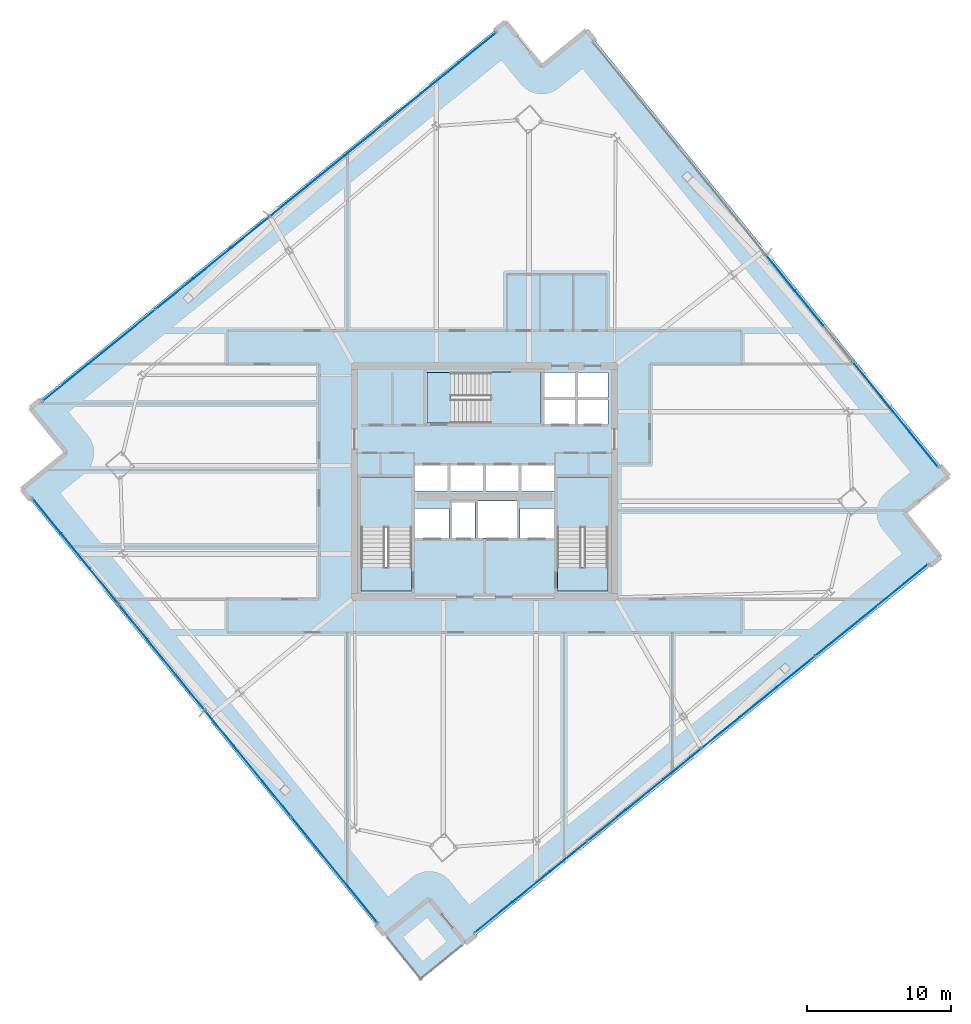
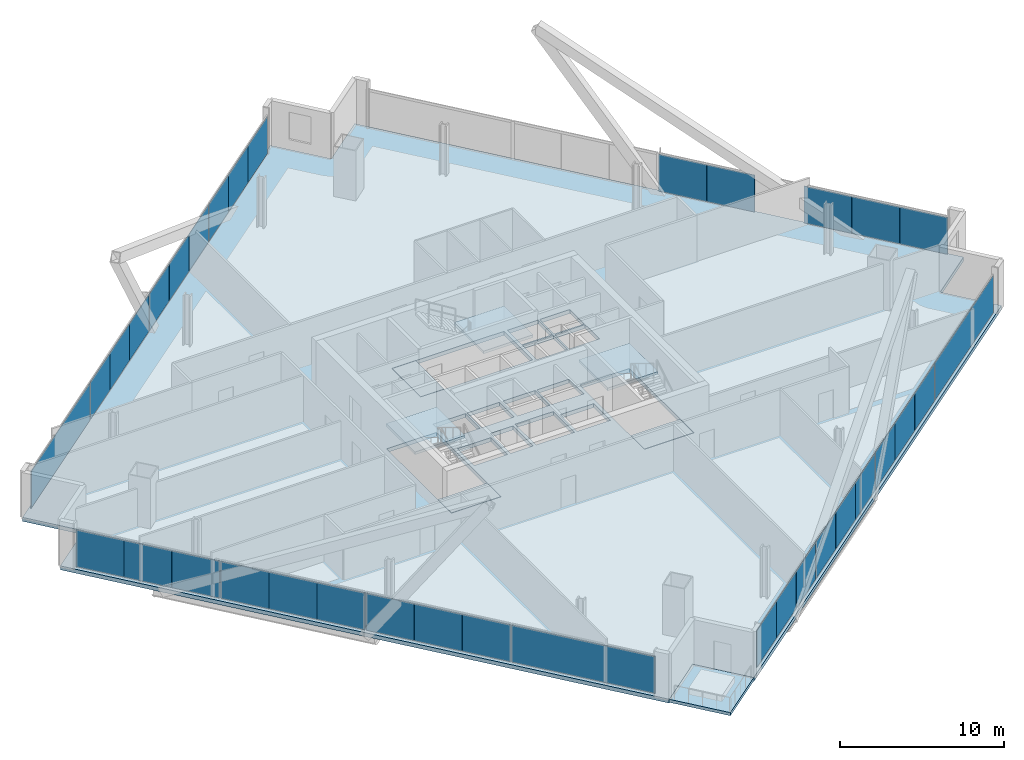
# One storey, part 27 of 36: 35 plates, 8 slabs, 7 elements without a shape of their own.
"""IFC4 building model written with IfcOpenShell, lengths in metres."""

from ifc_helpers import new_model, si_unit, direction, frame, origin, origin_2d, place, context, subcontext, project, spatial, polyline, rectangle, outline, extrude, source, transform, mapped, material, layer, layer_set, type_object, element, aggregate, save


model = new_model("IFC4")

# Units and contexts
model_context = context("Model", 3, precision=1e-05, world=origin(), true_north=direction((0.0, 1.0)))
body_context = subcontext(model_context, "Body", "Model", "MODEL_VIEW")
ifc_project = project(units=[si_unit("LENGTHUNIT", "METRE"), si_unit("AREAUNIT", "SQUARE_METRE"), si_unit("VOLUMEUNIT", "CUBIC_METRE"), si_unit("PLANEANGLEUNIT", "RADIAN"), si_unit("MASSUNIT", "GRAM", prefix="KILO")], contexts=[model_context])

# Site, building, storey
site_placement = place(None, origin())
site = spatial("IfcSite", under=ifc_project, at=site_placement, CompositionType="ELEMENT")
building_placement = place(site_placement, origin())
building = spatial("IfcBuilding", under=site, at=building_placement, Name="Haldenkirk Collegiate Tower", CompositionType="ELEMENT")
storey_placement = place(building_placement, frame((0.0, 0.0, 159.449951171875)))
storey = spatial("IfcBuildingStorey", under=building, at=storey_placement, Name="L39", CompositionType="ELEMENT", Elevation=159.449951171875)

# Slab
ifc_material_1 = material(Name="Concrete f'c 40 MPa", Category="concrete")
ifc_layer_1 = layer(ifc_material_1, 0.2900390625)
ifc_layer_set_1 = layer_set([ifc_layer_1], Name="Concrete f'c 40 MPa")
slab_type_1 = type_object("IfcSlabType", Name="SLB-FLR-290", PredefinedType="FLOOR", material=ifc_layer_set_1)
slab_1_placement = place(storey_placement, frame((0.0, 0.0, -0.2900390625)))
element("IfcSlab", 1, at=slab_1_placement, inside=storey, type_object=slab_type_1, Name="L39 composite structural floor slab", PredefinedType="FLOOR", context=body_context, shape_type="SweptSolid", body=[
    extrude(outline(polyline([(34.68408203125, -5.995361328125), (67.58837890625, 20.7451171875), (65.065673828125, 23.849365234375), (68.169921875, 26.3720703125), (43.069091796875, 57.2587890625), (39.96484375, 54.736083984375), (37.442138671875, 57.840087890625), (4.53759765625, 31.099609375), (7.060302734375, 27.995361328125), (3.956298828125, 25.47265625), (29.05712890625, -5.4140625), (32.161376953125, -2.891357421875), (34.68408203125, -5.995361328125)]), holes=[polyline([(27.449951171875, 18.39990234375), (30.949951171875, 18.39990234375), (30.949951171875, 26.300048828125), (27.449951171875, 26.300048828125), (27.449951171875, 18.39990234375)]), polyline([(41.050048828125, 18.39990234375), (44.550048828125, 18.39990234375), (44.550048828125, 26.300048828125), (41.050048828125, 26.300048828125), (41.050048828125, 18.39990234375)]), polyline([(32.0, 30.050048828125), (39.89990234375, 30.050048828125), (39.89990234375, 33.550048828125), (32.0, 33.550048828125), (32.0, 30.050048828125)]), polyline([(33.75, 22.10009765625), (35.35009765625, 22.10009765625), (35.35009765625, 24.550048828125), (33.75, 24.550048828125), (33.75, 22.10009765625)]), polyline([(40.14990234375, 29.949951171875), (42.320068359375, 29.949951171875), (42.320068359375, 31.699951171875), (40.14990234375, 31.699951171875), (40.14990234375, 29.949951171875)]), polyline([(42.419921875, 29.949951171875), (44.550048828125, 29.949951171875), (44.550048828125, 31.699951171875), (42.419921875, 31.699951171875), (42.419921875, 29.949951171875)]), polyline([(40.14990234375, 31.800048828125), (42.320068359375, 31.800048828125), (42.320068359375, 33.550048828125), (40.14990234375, 33.550048828125), (40.14990234375, 31.800048828125)]), polyline([(42.419921875, 31.800048828125), (44.550048828125, 31.800048828125), (44.550048828125, 33.550048828125), (42.419921875, 33.550048828125), (42.419921875, 31.800048828125)]), polyline([(31.199951171875, 25.35009765625), (33.47998046875, 25.35009765625), (33.47998046875, 27.14990234375), (31.199951171875, 27.14990234375), (31.199951171875, 25.35009765625)]), polyline([(33.60009765625, 25.35009765625), (35.8798828125, 25.35009765625), (35.8798828125, 27.14990234375), (33.60009765625, 27.14990234375), (33.60009765625, 25.35009765625)]), polyline([(36.1201171875, 25.35009765625), (38.39990234375, 25.35009765625), (38.39990234375, 27.14990234375), (36.1201171875, 27.14990234375), (36.1201171875, 25.35009765625)]), polyline([(38.52001953125, 25.35009765625), (40.800048828125, 25.35009765625), (40.800048828125, 27.14990234375), (38.52001953125, 27.14990234375), (38.52001953125, 25.35009765625)]), polyline([(31.199951171875, 22.10009765625), (33.550048828125, 22.10009765625), (33.550048828125, 24.14990234375), (31.199951171875, 24.14990234375), (31.199951171875, 22.10009765625)]), polyline([(38.449951171875, 22.10009765625), (40.800048828125, 22.10009765625), (40.800048828125, 24.14990234375), (38.449951171875, 24.14990234375), (38.449951171875, 22.10009765625)]), polyline([(35.550048828125, 22.10009765625), (38.25, 22.10009765625), (38.25, 24.64990234375), (35.550048828125, 24.64990234375), (35.550048828125, 22.10009765625)])]), origin(), (0.0, 0.0, 1.0), 0.2900390625),
])

# Stair, slab
stair_type = type_object("IfcStairType", Name="STR-DOGLEG-1650", PredefinedType="HALF_TURN_STAIR", material=ifc_material_1)
stair_1_placement = place(storey_placement, origin())
stair_1 = element("IfcStair", 2, at=stair_1_placement, inside=storey, type_object=stair_type, Name="L39 Core Exit Stair ST-1", PredefinedType="HALF_TURN_STAIR")
ifc_layer_2 = layer(ifc_material_1, 0.199951171875)
ifc_layer_set_2 = layer_set([ifc_layer_2], Name="Concrete f'c 40 MPa")
slab_type_2 = type_object("IfcSlabType", Name="SLB-LANDING-200", PredefinedType="LANDING", material=ifc_layer_set_2)
slab_2_placement = place(storey_placement, frame((0.0, 0.0, 1.675048828125)))
slab_2 = element("IfcSlab", 3, at=slab_2_placement, type_object=slab_type_2, Name="ST-1 landing 1", PredefinedType="LANDING", context=body_context, shape_type="SweptSolid", body=[
    extrude(outline(polyline([(30.97509765625, 22.824951171875), (27.425048828125, 22.824951171875), (27.425048828125, 26.324951171875), (30.97509765625, 26.324951171875), (30.97509765625, 22.824951171875)])), origin(), (0.0, 0.0, 1.0), 0.199951171875),
])
aggregate(stair_1, [slab_2])

stair_2_placement = place(storey_placement, origin())
stair_2 = element("IfcStair", 4, at=stair_2_placement, inside=storey, type_object=stair_type, Name="L39 Core Exit Stair ST-2", PredefinedType="HALF_TURN_STAIR")
slab_3_placement = place(storey_placement, frame((0.0, 0.0, 1.675048828125)))
slab_3 = element("IfcSlab", 5, at=slab_3_placement, type_object=slab_type_2, Name="ST-2 landing 1", PredefinedType="LANDING", context=body_context, shape_type="SweptSolid", body=[
    extrude(outline(polyline([(44.574951171875, 22.824951171875), (41.02490234375, 22.824951171875), (41.02490234375, 26.324951171875), (44.574951171875, 26.324951171875), (44.574951171875, 22.824951171875)])), origin(), (0.0, 0.0, 1.0), 0.199951171875),
])
aggregate(stair_2, [slab_3])

stair_3_placement = place(storey_placement, origin())
stair_3 = element("IfcStair", 6, at=stair_3_placement, inside=storey, type_object=stair_type, Name="L39 Core Exit Stair ST-3", PredefinedType="HALF_TURN_STAIR")
slab_4_placement = place(storey_placement, frame((0.0, 0.0, 1.675048828125)))
slab_4 = element("IfcSlab", 7, at=slab_4_placement, type_object=slab_type_2, Name="ST-3 landing 1", PredefinedType="LANDING", context=body_context, shape_type="SweptSolid", body=[
    extrude(outline(polyline([(36.425048828125, 30.02490234375), (36.425048828125, 33.574951171875), (39.925048828125, 33.574951171875), (39.925048828125, 30.02490234375), (36.425048828125, 30.02490234375)])), origin(), (0.0, 0.0, 1.0), 0.199951171875),
])
aggregate(stair_3, [slab_4])

# Slabs
ifc_layer_3 = layer(ifc_material_1, 0.25)
ifc_layer_set_3 = layer_set([ifc_layer_3], Name="Concrete f'c 40 MPa")
slab_type_3 = type_object("IfcSlabType", Name="SLB-STAIRLAND-250", PredefinedType="LANDING", material=ifc_layer_set_3)
slab_5_placement = place(storey_placement, frame((0.0, 0.0, -0.25)))
element("IfcSlab", 8, at=slab_5_placement, inside=storey, type_object=slab_type_3, Name="L39 stair ST1 structural floor landing slab", PredefinedType="LANDING", context=body_context, shape_type="SweptSolid", body=[
    extrude(outline(polyline([(27.4599609375, 18.409912109375), (30.93994140625, 18.409912109375), (30.93994140625, 20.080078125), (27.4599609375, 20.080078125), (27.4599609375, 18.409912109375)])), origin(), (0.0, 0.0, 1.0), 0.25),
])
slab_6_placement = place(storey_placement, frame((0.0, 0.0, -0.25)))
element("IfcSlab", 9, at=slab_6_placement, inside=storey, type_object=slab_type_3, Name="L39 stair ST2 structural floor landing slab", PredefinedType="LANDING", context=body_context, shape_type="SweptSolid", body=[
    extrude(outline(polyline([(41.06005859375, 18.409912109375), (44.5400390625, 18.409912109375), (44.5400390625, 20.080078125), (41.06005859375, 20.080078125), (41.06005859375, 18.409912109375)])), origin(), (0.0, 0.0, 1.0), 0.25),
])
slab_7_placement = place(storey_placement, frame((0.0, 0.0, -0.25)))
element("IfcSlab", 10, at=slab_7_placement, inside=storey, type_object=slab_type_3, Name="L39 stair ST3 structural floor landing slab", PredefinedType="LANDING", context=body_context, shape_type="SweptSolid", body=[
    extrude(outline(polyline([(32.010009765625, 30.06005859375), (33.679931640625, 30.06005859375), (33.679931640625, 33.5400390625), (32.010009765625, 33.5400390625), (32.010009765625, 30.06005859375)])), origin(), (0.0, 0.0, 1.0), 0.25),
])
ifc_layer_4 = layer(ifc_material_1, 0.22998046875)
ifc_layer_set_4 = layer_set([ifc_layer_4], Name="Concrete f'c 40 MPa")
slab_type_4 = type_object("IfcSlabType", Name="SLB-TERR-SPIRAL-230", PredefinedType="FLOOR", material=ifc_layer_set_4)
slab_8_placement = place(storey_placement, frame((0.0, 0.0, -0.22998046875)))
element("IfcSlab", 11, at=slab_8_placement, inside=storey, type_object=slab_type_4, Name="L39 spiralling corner terrace slab", PredefinedType="FLOOR", context=body_context, shape_type="SweptSolid", body=[
    extrude(outline(polyline([(31.579833984375, -8.51806640625), (34.68408203125, -5.995361328125), (32.161376953125, -2.891357421875), (29.05712890625, -5.4140625), (31.579833984375, -8.51806640625)])), origin(), (0.0, 0.0, 1.0), 0.22998046875),
])

# Curtain wall, plates
ifc_material_2 = material(Name="Anodised architectural bronze aluminium", Category="aluminium")
curtain_wall_type_1 = type_object("IfcCurtainWallType", Name="CW-SYS2-CONCAVE", PredefinedType="USERDEFINED", material=ifc_material_2)
curtain_wall_1_placement = place(storey_placement, origin())
curtain_wall_1 = element("IfcCurtainWall", 12, at=curtain_wall_1_placement, inside=storey, type_object=curtain_wall_type_1, Name="L39 South concave recessed bronze-anodised curtain wall", ObjectType="UNITISED CURTAIN WALL", PredefinedType="USERDEFINED")
ifc_material_3 = material(Name="Low-E argon triple insulating glass", Category="glass")
ifc_layer_5 = layer(ifc_material_3, 0.0419921875)
ifc_layer_set_5 = layer_set([ifc_layer_5], Name="Low-E argon triple insulating glass")
plate_type_1 = type_object("IfcPlateType", Name="CW-PNL-02", PredefinedType="CURTAIN_PANEL", material=ifc_layer_set_5)
shared_shape_1 = source(origin(), body_context, "Body", "SweptSolid", [
    extrude(rectangle(XDim=10.03759765625, YDim=0.0419921875, at=origin_2d()), origin(), (0.0, 0.0, 1.0), 2.760986328125),
])
plate_1_placement = place(storey_placement, frame((62.823486328125, 17.104736328125, 0.0751953125), z_axis=(0.0, 0.0, 1.0), x_axis=(-0.776047997717, -0.630673850131, 0.0)))
plate_1 = element("IfcPlate", 13, at=plate_1_placement, type_object=plate_type_1, Name="CW-02 panel 1.1", PredefinedType="CURTAIN_PANEL", context=body_context, shape_type="MappedRepresentation", body=[
    mapped(shared_shape_1, transform((0.0, 0.0, 0.0), x_axis=(1.0, 0.0, 0.0), y_axis=(0.0, 1.0, 0.0), z_axis=(0.0, 0.0, 1.0), scale=1.0)),
])
shared_shape_2 = source(origin(), body_context, "Body", "SweptSolid", [
    extrude(rectangle(XDim=3.345703125, YDim=0.0419921875, at=origin_2d()), origin(), (0.0, 0.0, 1.0), 2.760986328125),
])
plate_2_placement = place(storey_placement, frame((57.572265625, 12.837158203125, 0.0751953125), z_axis=(0.0, 0.0, 1.0), x_axis=(-0.776047997717, -0.630673850131, 0.0)))
plate_2 = element("IfcPlate", 14, at=plate_2_placement, type_object=plate_type_1, Name="CW-02 panel 2.1a", PredefinedType="CURTAIN_PANEL", context=body_context, shape_type="MappedRepresentation", body=[
    mapped(shared_shape_2, transform((0.0, 0.0, 0.0), x_axis=(1.0, 0.0, 0.0), y_axis=(0.0, 1.0, 0.0), z_axis=(0.0, 0.0, 1.0), scale=1.0)),
])
ifc_material_4 = material(Name="Bronze-anodised insulated aluminium spandrel panel", Category="aluminium")
ifc_layer_6 = layer(ifc_material_4, 0.0419921875)
ifc_layer_set_6 = layer_set([ifc_layer_6], Name="Bronze-anodised insulated aluminium spandrel panel")
plate_type_2 = type_object("IfcPlateType", Name="CW-SPD-02", PredefinedType="CURTAIN_PANEL", material=ifc_layer_set_6)
plate_3_placement = place(storey_placement, frame((52.35009765625, 8.59326171875, 0.0751953125), z_axis=(0.0, 0.0, 1.0), x_axis=(-0.776047997717, -0.630673850131, 0.0)))
plate_3 = element("IfcPlate", 15, at=plate_3_placement, type_object=plate_type_2, Name="CW-02 spandrel panel 2.1c", PredefinedType="CURTAIN_PANEL", context=body_context, shape_type="MappedRepresentation", body=[
    mapped(shared_shape_2, transform((0.0, 0.0, 0.0), x_axis=(1.0, 0.0, 0.0), y_axis=(0.0, 1.0, 0.0), z_axis=(0.0, 0.0, 1.0), scale=1.0)),
])
plate_4_placement = place(storey_placement, frame((49.6953125, 6.435791015625, 0.0751953125), z_axis=(0.0, 0.0, 1.0), x_axis=(-0.776047997717, -0.630673850131, 0.0)))
plate_4 = element("IfcPlate", 16, at=plate_4_placement, type_object=plate_type_2, Name="CW-02 spandrel panel 3.1a", PredefinedType="CURTAIN_PANEL", context=body_context, shape_type="MappedRepresentation", body=[
    mapped(shared_shape_2, transform((0.0, 0.0, 0.0), x_axis=(1.0, 0.0, 0.0), y_axis=(0.0, 1.0, 0.0), z_axis=(0.0, 0.0, 1.0), scale=1.0)),
])
plate_5_placement = place(storey_placement, frame((44.47314453125, 2.19189453125, 0.0751953125), z_axis=(0.0, 0.0, 1.0), x_axis=(-0.776047997717, -0.630673850131, 0.0)))
plate_5 = element("IfcPlate", 17, at=plate_5_placement, type_object=plate_type_2, Name="CW-02 spandrel panel 3.1c", PredefinedType="CURTAIN_PANEL", context=body_context, shape_type="MappedRepresentation", body=[
    mapped(shared_shape_2, transform((0.0, 0.0, 0.0), x_axis=(1.0, 0.0, 0.0), y_axis=(0.0, 1.0, 0.0), z_axis=(0.0, 0.0, 1.0), scale=1.0)),
])
shared_shape_3 = source(origin(), body_context, "Body", "SweptSolid", [
    extrude(rectangle(XDim=3.333251953125, YDim=0.0419921875, at=origin_2d()), origin(), (0.0, 0.0, 1.0), 2.760986328125),
])
plate_6_placement = place(storey_placement, frame((54.961181640625, 10.71533203125, 0.0751953125), z_axis=(0.0, 0.0, 1.0), x_axis=(-0.776047997717, -0.630673850131, 0.0)))
plate_6 = element("IfcPlate", 18, at=plate_6_placement, type_object=plate_type_1, Name="CW-02 panel 2.1b", PredefinedType="CURTAIN_PANEL", context=body_context, shape_type="MappedRepresentation", body=[
    mapped(shared_shape_3, transform((0.0, 0.0, 0.0), x_axis=(1.0, 0.0, 0.0), y_axis=(0.0, 1.0, 0.0), z_axis=(0.0, 0.0, 1.0), scale=1.0)),
])
plate_7_placement = place(storey_placement, frame((47.084228515625, 4.31396484375, 0.0751953125), z_axis=(0.0, 0.0, 1.0), x_axis=(-0.776047997717, -0.630673850131, 0.0)))
plate_7 = element("IfcPlate", 19, at=plate_7_placement, type_object=plate_type_1, Name="CW-02 panel 3.1b", PredefinedType="CURTAIN_PANEL", context=body_context, shape_type="MappedRepresentation", body=[
    mapped(shared_shape_3, transform((0.0, 0.0, 0.0), x_axis=(1.0, 0.0, 0.0), y_axis=(0.0, 1.0, 0.0), z_axis=(0.0, 0.0, 1.0), scale=1.0)),
])
plate_8_placement = place(storey_placement, frame((41.8232421875, 0.03857421875, 0.0751953125), z_axis=(0.0, 0.0, 1.0), x_axis=(-0.776047997717, -0.630673850131, 0.0)))
plate_8 = element("IfcPlate", 20, at=plate_8_placement, type_object=plate_type_2, Name="CW-02 spandrel panel 4.1a", PredefinedType="CURTAIN_PANEL", context=body_context, shape_type="MappedRepresentation", body=[
    mapped(shared_shape_3, transform((0.0, 0.0, 0.0), x_axis=(1.0, 0.0, 0.0), y_axis=(0.0, 1.0, 0.0), z_axis=(0.0, 0.0, 1.0), scale=1.0)),
])
plate_9_placement = place(storey_placement, frame((36.62060546875, -4.189697265625, 0.0751953125), z_axis=(0.0, 0.0, 1.0), x_axis=(-0.776047997717, -0.630673850131, 0.0)))
plate_9 = element("IfcPlate", 21, at=plate_9_placement, type_object=plate_type_1, Name="CW-02 panel 4.1c", PredefinedType="CURTAIN_PANEL", context=body_context, shape_type="MappedRepresentation", body=[
    mapped(shared_shape_3, transform((0.0, 0.0, 0.0), x_axis=(1.0, 0.0, 0.0), y_axis=(0.0, 1.0, 0.0), z_axis=(0.0, 0.0, 1.0), scale=1.0)),
])

# Curtain wall, plate
curtain_wall_type_2 = type_object("IfcCurtainWallType", Name="CW-SYS1-CONVEX-LOW", PredefinedType="USERDEFINED", material=ifc_material_2)
curtain_wall_2_placement = place(storey_placement, origin())
curtain_wall_2 = element("IfcCurtainWall", 22, at=curtain_wall_2_placement, inside=storey, type_object=curtain_wall_type_2, Name="L39 Lower tower convex bronze-framed unitised curtain wall", ObjectType="UNITISED CURTAIN WALL", PredefinedType="USERDEFINED")
ifc_layer_7 = layer(ifc_material_4, 0.0439453125)
ifc_layer_set_7 = layer_set([ifc_layer_7], Name="Bronze-anodised insulated aluminium spandrel panel")
plate_type_3 = type_object("IfcPlateType", Name="CW-SPD-1A", PredefinedType="CURTAIN_PANEL", material=ifc_layer_set_7)
shared_shape_4 = source(origin(), body_context, "Body", "SweptSolid", [
    extrude(rectangle(XDim=3.12744140625, YDim=0.0439453125, at=origin_2d()), origin(), (0.0, 0.0, 1.0), 2.7509765625),
])
plate_10_placement = place(storey_placement, frame((56.4912109375, 40.457275390625, 0.080078125), z_axis=(0.0, 0.0, 1.0), x_axis=(0.630675643068, -0.776046540641, 0.0)))
plate_10 = element("IfcPlate", 23, at=plate_10_placement, type_object=plate_type_3, Name="CW-1A spandrel panel 3.1a", PredefinedType="CURTAIN_PANEL", context=body_context, shape_type="MappedRepresentation", body=[
    mapped(shared_shape_4, transform((0.0, 0.0, 0.0), x_axis=(1.0, 0.0, 0.0), y_axis=(0.0, 1.0, 0.0), z_axis=(0.0, 0.0, 1.0), scale=1.0)),
])

# Curtain wall, plates
curtain_wall_3_placement = place(storey_placement, origin())
curtain_wall_3 = element("IfcCurtainWall", 24, at=curtain_wall_3_placement, inside=storey, type_object=curtain_wall_type_2, Name="L39 Lower tower convex bronze-framed unitised curtain wall", ObjectType="UNITISED CURTAIN WALL", PredefinedType="USERDEFINED")
ifc_layer_8 = layer(ifc_material_3, 0.0439453125)
ifc_layer_set_8 = layer_set([ifc_layer_8], Name="Low-E argon triple insulating glass")
plate_type_4 = type_object("IfcPlateType", Name="CW-PNL-1A", PredefinedType="CURTAIN_PANEL", material=ifc_layer_set_8)
plate_11_placement = place(storey_placement, frame((21.626220703125, 4.014892578125, 0.080078125), z_axis=(0.0, 0.0, 1.0), x_axis=(-0.630674355087, 0.776047587352, 0.0)))
plate_11 = element("IfcPlate", 25, at=plate_11_placement, type_object=plate_type_4, Name="CW-1A panel 2.1a", PredefinedType="CURTAIN_PANEL", context=body_context, shape_type="MappedRepresentation", body=[
    mapped(shared_shape_4, transform((0.0, 0.0, 0.0), x_axis=(1.0, 0.0, 0.0), y_axis=(0.0, 1.0, 0.0), z_axis=(0.0, 0.0, 1.0), scale=1.0)),
])
plate_12_placement = place(storey_placement, frame((17.65771484375, 8.898193359375, 0.080078125), z_axis=(0.0, 0.0, 1.0), x_axis=(-0.630674355087, 0.776047587352, 0.0)))
plate_12 = element("IfcPlate", 26, at=plate_12_placement, type_object=plate_type_3, Name="CW-1A spandrel panel 2.1c", PredefinedType="CURTAIN_PANEL", context=body_context, shape_type="MappedRepresentation", body=[
    mapped(shared_shape_4, transform((0.0, 0.0, 0.0), x_axis=(1.0, 0.0, 0.0), y_axis=(0.0, 1.0, 0.0), z_axis=(0.0, 0.0, 1.0), scale=1.0)),
])
plate_13_placement = place(storey_placement, frame((15.635009765625, 11.387451171875, 0.080078125), z_axis=(0.0, 0.0, 1.0), x_axis=(-0.630674355087, 0.776047587352, 0.0)))
plate_13 = element("IfcPlate", 27, at=plate_13_placement, type_object=plate_type_3, Name="CW-1A spandrel panel 3.1a", PredefinedType="CURTAIN_PANEL", context=body_context, shape_type="MappedRepresentation", body=[
    mapped(shared_shape_4, transform((0.0, 0.0, 0.0), x_axis=(1.0, 0.0, 0.0), y_axis=(0.0, 1.0, 0.0), z_axis=(0.0, 0.0, 1.0), scale=1.0)),
])
plate_14_placement = place(storey_placement, frame((11.66650390625, 16.270751953125, 0.080078125), z_axis=(0.0, 0.0, 1.0), x_axis=(-0.630674355087, 0.776047587352, 0.0)))
plate_14 = element("IfcPlate", 28, at=plate_14_placement, type_object=plate_type_3, Name="CW-1A spandrel panel 3.1c", PredefinedType="CURTAIN_PANEL", context=body_context, shape_type="MappedRepresentation", body=[
    mapped(shared_shape_4, transform((0.0, 0.0, 0.0), x_axis=(1.0, 0.0, 0.0), y_axis=(0.0, 1.0, 0.0), z_axis=(0.0, 0.0, 1.0), scale=1.0)),
])

# Plate
shared_shape_5 = source(origin(), body_context, "Body", "SweptSolid", [
    extrude(rectangle(XDim=3.114990234375, YDim=0.0439453125, at=origin_2d()), origin(), (0.0, 0.0, 1.0), 2.7509765625),
])
plate_15_placement = place(storey_placement, frame((58.4755859375, 38.015625, 0.080078125), z_axis=(0.0, 0.0, 1.0), x_axis=(0.630675643068, -0.776046540641, 0.0)))
plate_15 = element("IfcPlate", 29, at=plate_15_placement, type_object=plate_type_4, Name="CW-1A panel 3.1b", PredefinedType="CURTAIN_PANEL", context=body_context, shape_type="MappedRepresentation", body=[
    mapped(shared_shape_5, transform((0.0, 0.0, 0.0), x_axis=(1.0, 0.0, 0.0), y_axis=(0.0, 1.0, 0.0), z_axis=(0.0, 0.0, 1.0), scale=1.0)),
])

plate_16_placement = place(storey_placement, frame((19.64208984375, 6.45654296875, 0.080078125), z_axis=(0.0, 0.0, 1.0), x_axis=(-0.630674355087, 0.776047587352, 0.0)))
plate_16 = element("IfcPlate", 30, at=plate_16_placement, type_object=plate_type_4, Name="CW-1A panel 2.1b", PredefinedType="CURTAIN_PANEL", context=body_context, shape_type="MappedRepresentation", body=[
    mapped(shared_shape_5, transform((0.0, 0.0, 0.0), x_axis=(1.0, 0.0, 0.0), y_axis=(0.0, 1.0, 0.0), z_axis=(0.0, 0.0, 1.0), scale=1.0)),
])

plate_17_placement = place(storey_placement, frame((13.650634765625, 13.8291015625, 0.080078125), z_axis=(0.0, 0.0, 1.0), x_axis=(-0.630674355087, 0.776047587352, 0.0)))
plate_17 = element("IfcPlate", 31, at=plate_17_placement, type_object=plate_type_4, Name="CW-1A panel 3.1b", PredefinedType="CURTAIN_PANEL", context=body_context, shape_type="MappedRepresentation", body=[
    mapped(shared_shape_5, transform((0.0, 0.0, 0.0), x_axis=(1.0, 0.0, 0.0), y_axis=(0.0, 1.0, 0.0), z_axis=(0.0, 0.0, 1.0), scale=1.0)),
])

# Curtain wall, plates
curtain_wall_4_placement = place(storey_placement, origin())
curtain_wall_4 = element("IfcCurtainWall", 32, at=curtain_wall_4_placement, inside=storey, type_object=curtain_wall_type_2, Name="L39 Lower tower convex bronze-framed unitised curtain wall", ObjectType="UNITISED CURTAIN WALL", PredefinedType="USERDEFINED")
shared_shape_6 = source(origin(), body_context, "Body", "SweptSolid", [
    extrude(rectangle(XDim=10.030029296875, YDim=0.0439453125, at=origin_2d()), origin(), (0.0, 0.0, 1.0), 2.7509765625),
])
plate_18_placement = place(storey_placement, frame((9.303466796875, 34.74072265625, 0.080078125), z_axis=(0.0, 0.0, 1.0), x_axis=(0.776047997717, 0.630673850131, 0.0)))
plate_18 = element("IfcPlate", 33, at=plate_18_placement, type_object=plate_type_4, Name="CW-1A panel 1.1", PredefinedType="CURTAIN_PANEL", context=body_context, shape_type="MappedRepresentation", body=[
    mapped(shared_shape_6, transform((0.0, 0.0, 0.0), x_axis=(1.0, 0.0, 0.0), y_axis=(0.0, 1.0, 0.0), z_axis=(0.0, 0.0, 1.0), scale=1.0)),
])
shared_shape_7 = source(origin(), body_context, "Body", "SweptSolid", [
    extrude(rectangle(XDim=3.34423828125, YDim=0.0439453125, at=origin_2d()), origin(), (0.0, 0.0, 1.0), 2.7509765625),
])
plate_19_placement = place(storey_placement, frame((14.55517578125, 39.008544921875, 0.080078125), z_axis=(0.0, 0.0, 1.0), x_axis=(0.776047997717, 0.630673850131, 0.0)))
plate_19 = element("IfcPlate", 34, at=plate_19_placement, type_object=plate_type_4, Name="CW-1A panel 2.1a", PredefinedType="CURTAIN_PANEL", context=body_context, shape_type="MappedRepresentation", body=[
    mapped(shared_shape_7, transform((0.0, 0.0, 0.0), x_axis=(1.0, 0.0, 0.0), y_axis=(0.0, 1.0, 0.0), z_axis=(0.0, 0.0, 1.0), scale=1.0)),
])
plate_20_placement = place(storey_placement, frame((19.774658203125, 43.25048828125, 0.080078125), z_axis=(0.0, 0.0, 1.0), x_axis=(0.776047997717, 0.630673850131, 0.0)))
plate_20 = element("IfcPlate", 35, at=plate_20_placement, type_object=plate_type_3, Name="CW-1A spandrel panel 2.1c", PredefinedType="CURTAIN_PANEL", context=body_context, shape_type="MappedRepresentation", body=[
    mapped(shared_shape_7, transform((0.0, 0.0, 0.0), x_axis=(1.0, 0.0, 0.0), y_axis=(0.0, 1.0, 0.0), z_axis=(0.0, 0.0, 1.0), scale=1.0)),
])
plate_21_placement = place(storey_placement, frame((22.43212890625, 45.409912109375, 0.080078125), z_axis=(0.0, 0.0, 1.0), x_axis=(0.776047997717, 0.630673850131, 0.0)))
plate_21 = element("IfcPlate", 36, at=plate_21_placement, type_object=plate_type_3, Name="CW-1A spandrel panel 3.1a", PredefinedType="CURTAIN_PANEL", context=body_context, shape_type="MappedRepresentation", body=[
    mapped(shared_shape_7, transform((0.0, 0.0, 0.0), x_axis=(1.0, 0.0, 0.0), y_axis=(0.0, 1.0, 0.0), z_axis=(0.0, 0.0, 1.0), scale=1.0)),
])
plate_22_placement = place(storey_placement, frame((27.651611328125, 49.65185546875, 0.080078125), z_axis=(0.0, 0.0, 1.0), x_axis=(0.776047997717, 0.630673850131, 0.0)))
plate_22 = element("IfcPlate", 37, at=plate_22_placement, type_object=plate_type_3, Name="CW-1A spandrel panel 3.1c", PredefinedType="CURTAIN_PANEL", context=body_context, shape_type="MappedRepresentation", body=[
    mapped(shared_shape_7, transform((0.0, 0.0, 0.0), x_axis=(1.0, 0.0, 0.0), y_axis=(0.0, 1.0, 0.0), z_axis=(0.0, 0.0, 1.0), scale=1.0)),
])
shared_shape_8 = source(origin(), body_context, "Body", "SweptSolid", [
    extrude(rectangle(XDim=3.331787109375, YDim=0.0439453125, at=origin_2d()), origin(), (0.0, 0.0, 1.0), 2.7509765625),
])
plate_23_placement = place(storey_placement, frame((17.1650390625, 41.12939453125, 0.080078125), z_axis=(0.0, 0.0, 1.0), x_axis=(0.776047997717, 0.630673850131, 0.0)))
plate_23 = element("IfcPlate", 38, at=plate_23_placement, type_object=plate_type_4, Name="CW-1A panel 2.1b", PredefinedType="CURTAIN_PANEL", context=body_context, shape_type="MappedRepresentation", body=[
    mapped(shared_shape_8, transform((0.0, 0.0, 0.0), x_axis=(1.0, 0.0, 0.0), y_axis=(0.0, 1.0, 0.0), z_axis=(0.0, 0.0, 1.0), scale=1.0)),
])
plate_24_placement = place(storey_placement, frame((25.041748046875, 47.531005859375, 0.080078125), z_axis=(0.0, 0.0, 1.0), x_axis=(0.776047997717, 0.630673850131, 0.0)))
plate_24 = element("IfcPlate", 39, at=plate_24_placement, type_object=plate_type_4, Name="CW-1A panel 3.1b", PredefinedType="CURTAIN_PANEL", context=body_context, shape_type="MappedRepresentation", body=[
    mapped(shared_shape_8, transform((0.0, 0.0, 0.0), x_axis=(1.0, 0.0, 0.0), y_axis=(0.0, 1.0, 0.0), z_axis=(0.0, 0.0, 1.0), scale=1.0)),
])

# Plate
shared_shape_9 = source(origin(), body_context, "Body", "SweptSolid", [
    extrude(rectangle(XDim=9.380126953125, YDim=0.0439453125, at=origin_2d()), origin(), (0.0, 0.0, 1.0), 2.7509765625),
])
plate_25_placement = place(storey_placement, frame((25.620849609375, -0.900390625, 0.080078125), z_axis=(0.0, 0.0, 1.0), x_axis=(-0.630674355087, 0.776047587352, 0.0)))
plate_25 = element("IfcPlate", 40, at=plate_25_placement, type_object=plate_type_4, Name="CW-1A panel 1.1", PredefinedType="CURTAIN_PANEL", context=body_context, shape_type="MappedRepresentation", body=[
    mapped(shared_shape_9, transform((0.0, 0.0, 0.0), x_axis=(1.0, 0.0, 0.0), y_axis=(0.0, 1.0, 0.0), z_axis=(0.0, 0.0, 1.0), scale=1.0)),
])

shared_shape_10 = source(origin(), body_context, "Body", "SweptSolid", [
    extrude(rectangle(XDim=3.32080078125, YDim=0.0419921875, at=origin_2d()), origin(), (0.0, 0.0, 1.0), 2.760986328125),
])
plate_26_placement = place(storey_placement, frame((39.221923828125, -2.07568359375, 0.0751953125), z_axis=(0.0, 0.0, 1.0), x_axis=(-0.776047997717, -0.630673850131, 0.0)))
plate_26 = element("IfcPlate", 41, at=plate_26_placement, type_object=plate_type_2, Name="CW-02 spandrel panel 4.1b", PredefinedType="CURTAIN_PANEL", context=body_context, shape_type="MappedRepresentation", body=[
    mapped(shared_shape_10, transform((0.0, 0.0, 0.0), x_axis=(1.0, 0.0, 0.0), y_axis=(0.0, 1.0, 0.0), z_axis=(0.0, 0.0, 1.0), scale=1.0)),
])

aggregate(curtain_wall_1, [plate_1, plate_2, plate_6, plate_3, plate_4, plate_7, plate_5, plate_8, plate_26, plate_9])

shared_shape_11 = source(origin(), body_context, "Body", "SweptSolid", [
    extrude(rectangle(XDim=3.1142578125, YDim=0.0439453125, at=origin_2d()), origin(), (0.0, 0.0, 1.0), 2.7509765625),
])
plate_27_placement = place(storey_placement, frame((62.478515625, 33.090087890625, 0.080078125), z_axis=(0.0, 0.0, 1.0), x_axis=(0.630675643068, -0.776046540641, 0.0)))
plate_27 = element("IfcPlate", 42, at=plate_27_placement, type_object=plate_type_3, Name="CW-1A spandrel panel 4.1a", PredefinedType="CURTAIN_PANEL", context=body_context, shape_type="MappedRepresentation", body=[
    mapped(shared_shape_11, transform((0.0, 0.0, 0.0), x_axis=(1.0, 0.0, 0.0), y_axis=(0.0, 1.0, 0.0), z_axis=(0.0, 0.0, 1.0), scale=1.0)),
])

plate_28_placement = place(storey_placement, frame((66.43017578125, 28.2275390625, 0.080078125), z_axis=(0.0, 0.0, 1.0), x_axis=(0.630675643068, -0.776046540641, 0.0)))
plate_28 = element("IfcPlate", 43, at=plate_28_placement, type_object=plate_type_4, Name="CW-1A panel 4.1c", PredefinedType="CURTAIN_PANEL", context=body_context, shape_type="MappedRepresentation", body=[
    mapped(shared_shape_11, transform((0.0, 0.0, 0.0), x_axis=(1.0, 0.0, 0.0), y_axis=(0.0, 1.0, 0.0), z_axis=(0.0, 0.0, 1.0), scale=1.0)),
])

plate_29_placement = place(storey_placement, frame((9.647705078125, 18.754638671875, 0.080078125), z_axis=(0.0, 0.0, 1.0), x_axis=(-0.630674355087, 0.776047587352, 0.0)))
plate_29 = element("IfcPlate", 44, at=plate_29_placement, type_object=plate_type_3, Name="CW-1A spandrel panel 4.1a", PredefinedType="CURTAIN_PANEL", context=body_context, shape_type="MappedRepresentation", body=[
    mapped(shared_shape_11, transform((0.0, 0.0, 0.0), x_axis=(1.0, 0.0, 0.0), y_axis=(0.0, 1.0, 0.0), z_axis=(0.0, 0.0, 1.0), scale=1.0)),
])

plate_30_placement = place(storey_placement, frame((5.696044921875, 23.6171875, 0.080078125), z_axis=(0.0, 0.0, 1.0), x_axis=(-0.630674355087, 0.776047587352, 0.0)))
plate_30 = element("IfcPlate", 45, at=plate_30_placement, type_object=plate_type_4, Name="CW-1A panel 4.1c", PredefinedType="CURTAIN_PANEL", context=body_context, shape_type="MappedRepresentation", body=[
    mapped(shared_shape_11, transform((0.0, 0.0, 0.0), x_axis=(1.0, 0.0, 0.0), y_axis=(0.0, 1.0, 0.0), z_axis=(0.0, 0.0, 1.0), scale=1.0)),
])

shared_shape_12 = source(origin(), body_context, "Body", "SweptSolid", [
    extrude(rectangle(XDim=3.101806640625, YDim=0.0439453125, at=origin_2d()), origin(), (0.0, 0.0, 1.0), 2.7509765625),
])
plate_31_placement = place(storey_placement, frame((64.454345703125, 30.65869140625, 0.080078125), z_axis=(0.0, 0.0, 1.0), x_axis=(0.630675643068, -0.776046540641, 0.0)))
plate_31 = element("IfcPlate", 46, at=plate_31_placement, type_object=plate_type_3, Name="CW-1A spandrel panel 4.1b", PredefinedType="CURTAIN_PANEL", context=body_context, shape_type="MappedRepresentation", body=[
    mapped(shared_shape_12, transform((0.0, 0.0, 0.0), x_axis=(1.0, 0.0, 0.0), y_axis=(0.0, 1.0, 0.0), z_axis=(0.0, 0.0, 1.0), scale=1.0)),
])

aggregate(curtain_wall_2, [plate_10, plate_15, plate_27, plate_31, plate_28])

plate_32_placement = place(storey_placement, frame((7.671875, 21.18603515625, 0.080078125), z_axis=(0.0, 0.0, 1.0), x_axis=(-0.630674355087, 0.776047587352, 0.0)))
plate_32 = element("IfcPlate", 47, at=plate_32_placement, type_object=plate_type_3, Name="CW-1A spandrel panel 4.1b", PredefinedType="CURTAIN_PANEL", context=body_context, shape_type="MappedRepresentation", body=[
    mapped(shared_shape_12, transform((0.0, 0.0, 0.0), x_axis=(1.0, 0.0, 0.0), y_axis=(0.0, 1.0, 0.0), z_axis=(0.0, 0.0, 1.0), scale=1.0)),
])

aggregate(curtain_wall_3, [plate_25, plate_11, plate_16, plate_12, plate_13, plate_17, plate_14, plate_29, plate_32, plate_30])

shared_shape_13 = source(origin(), body_context, "Body", "SweptSolid", [
    extrude(rectangle(XDim=3.330810546875, YDim=0.0439453125, at=origin_2d()), origin(), (0.0, 0.0, 1.0), 2.7509765625),
])
plate_33_placement = place(storey_placement, frame((30.3037109375, 51.80712890625, 0.080078125), z_axis=(0.0, 0.0, 1.0), x_axis=(0.776047997717, 0.630673850131, 0.0)))
plate_33 = element("IfcPlate", 48, at=plate_33_placement, type_object=plate_type_3, Name="CW-1A spandrel panel 4.1a", PredefinedType="CURTAIN_PANEL", context=body_context, shape_type="MappedRepresentation", body=[
    mapped(shared_shape_13, transform((0.0, 0.0, 0.0), x_axis=(1.0, 0.0, 0.0), y_axis=(0.0, 1.0, 0.0), z_axis=(0.0, 0.0, 1.0), scale=1.0)),
])

plate_34_placement = place(storey_placement, frame((35.502685546875, 56.031982421875, 0.080078125), z_axis=(0.0, 0.0, 1.0), x_axis=(0.776047997717, 0.630673850131, 0.0)))
plate_34 = element("IfcPlate", 49, at=plate_34_placement, type_object=plate_type_4, Name="CW-1A panel 4.1c", PredefinedType="CURTAIN_PANEL", context=body_context, shape_type="MappedRepresentation", body=[
    mapped(shared_shape_13, transform((0.0, 0.0, 0.0), x_axis=(1.0, 0.0, 0.0), y_axis=(0.0, 1.0, 0.0), z_axis=(0.0, 0.0, 1.0), scale=1.0)),
])

shared_shape_14 = source(origin(), body_context, "Body", "SweptSolid", [
    extrude(rectangle(XDim=3.318359375, YDim=0.0439453125, at=origin_2d()), origin(), (0.0, 0.0, 1.0), 2.7509765625),
])
plate_35_placement = place(storey_placement, frame((32.9033203125, 53.919677734375, 0.080078125), z_axis=(0.0, 0.0, 1.0), x_axis=(0.776047997717, 0.630673850131, 0.0)))
plate_35 = element("IfcPlate", 50, at=plate_35_placement, type_object=plate_type_3, Name="CW-1A spandrel panel 4.1b", PredefinedType="CURTAIN_PANEL", context=body_context, shape_type="MappedRepresentation", body=[
    mapped(shared_shape_14, transform((0.0, 0.0, 0.0), x_axis=(1.0, 0.0, 0.0), y_axis=(0.0, 1.0, 0.0), z_axis=(0.0, 0.0, 1.0), scale=1.0)),
])

aggregate(curtain_wall_4, [plate_18, plate_19, plate_23, plate_20, plate_21, plate_24, plate_22, plate_33, plate_35, plate_34])

save(model, "model.ifc")
